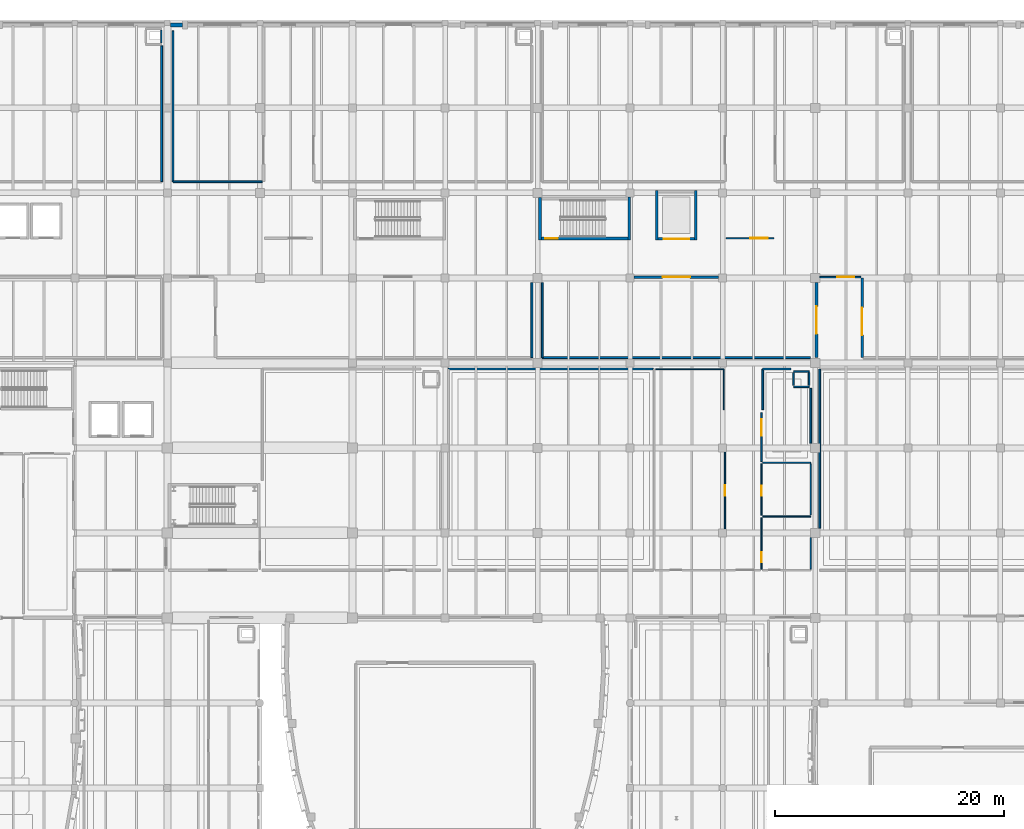
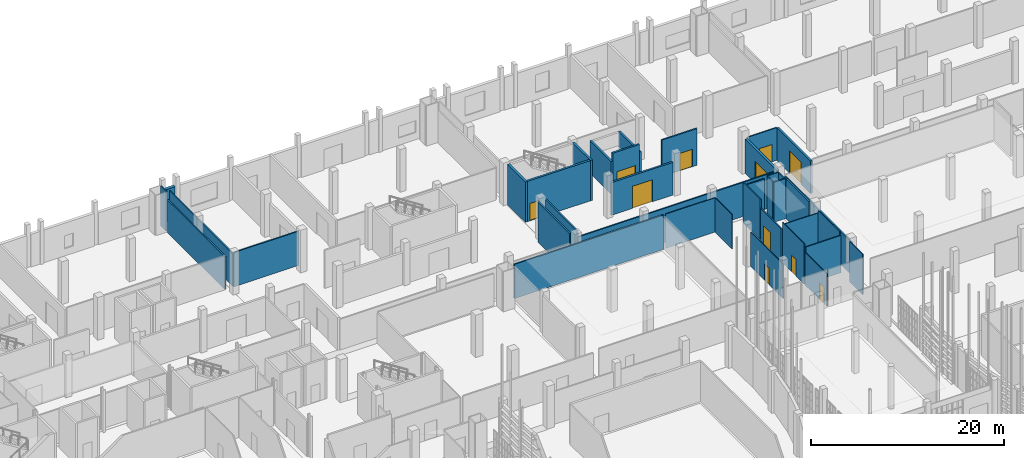
# One storey, part 356 of 372: 38 walls, 11 doors, 11 openings.
"""IFC4 building model written with IfcOpenShell, lengths in metres."""

from ifc_helpers import new_model, si_unit, direction, frame, frame_2d, origin, place, context, subcontext, project, spatial, rectangle, extrude, material, layer, layer_set, type_object, element, fill, save


model = new_model("IFC4")

# Units and contexts
model_context = context("Model", 3, precision=1e-05, world=origin(), true_north=direction((0.0, 1.0)))
body_context = subcontext(model_context, "Body", "Model", "MODEL_VIEW")
ifc_project = project(units=[si_unit("LENGTHUNIT", "METRE"), si_unit("AREAUNIT", "SQUARE_METRE"), si_unit("VOLUMEUNIT", "CUBIC_METRE"), si_unit("PLANEANGLEUNIT", "RADIAN"), si_unit("MASSUNIT", "GRAM", prefix="KILO")], contexts=[model_context])

# Site, building, storey
site_placement = place(None, origin())
site = spatial("IfcSite", under=ifc_project, at=site_placement, CompositionType="ELEMENT")
building_placement = place(site_placement, origin())
building = spatial("IfcBuilding", under=site, at=building_placement, Name="Kaelora Sail Theatre", CompositionType="ELEMENT")
storey_placement = place(building_placement, origin())
storey = spatial("IfcBuildingStorey", under=building, at=storey_placement, Name="L00", CompositionType="ELEMENT", Elevation=0.0)

# Wall, opening, door
ifc_material_1 = material(Name="Concrete C40/50", Category="concrete")
ifc_layer_1 = layer(ifc_material_1, 0.25)
ifc_layer_set_1 = layer_set([ifc_layer_1], Name="Concrete C40/50")
wall_type_1 = type_object("IfcWallType", Name="ARC-WL-CW-250", PredefinedType="SHEAR", material=ifc_layer_set_1)
wall_1_placement = place(storey_placement, frame((99.054931640625, 94.22509765625, 0.0), z_axis=(0.0, 0.0, 1.0), x_axis=(1.0, 0.0, 0.0)))
wall_1 = element("IfcWall", 1, at=wall_1_placement, inside=storey, type_object=wall_type_1, Name="Stair shaft ST-K4 wall L00-S", PredefinedType="SHEAR", context=body_context, shape_type="SweptSolid", body=[
    extrude(rectangle(XDim=7.5400390625, YDim=0.25, at=frame_2d((3.77001953125, 0.0))), origin(), (0.0, 0.0, 1.0), 5.10498046875),
])
opening_1_placement = place(wall_1_placement, frame((0.320068359375, 0.0, 0.0)))
opening_1 = element("IfcOpeningElement", 2, at=opening_1_placement, cuts=wall_1, Name="Opening FD-02", PredefinedType="OPENING", context=body_context, shape_type="SweptSolid", body=[
    extrude(rectangle(XDim=1.10009765625, YDim=2.199951171875, at=frame_2d((0.550048828125, 1.10009765625))), frame((0.0, 0.135, 0.0), z_axis=(0.0, -1.0, 0.0), x_axis=(1.0, 0.0, 0.0)), (0.0, 0.0, 1.0), 0.27),
])
ifc_material_2 = material(Name="Acoustic steel single stair/lobby fire door EI 90-C", Category="steel")
door_type_1 = type_object("IfcDoorType", Name="ARC-DR-FD-02", OperationType="NOTDEFINED", PredefinedType="DOOR", material=ifc_material_2)
door_1_placement = place(opening_1_placement, origin())
door_1 = element("IfcDoor", 3, at=door_1_placement, inside=storey, type_object=door_type_1, Name="Stair ST-K4 door (L00)", OperationType="SINGLE_SWING_RIGHT", OverallHeight=2.199951171875, OverallWidth=1.10009765625, PredefinedType="DOOR", context=body_context, shape_type="SweptSolid", body=[
    extrude(rectangle(XDim=1.10009765625, YDim=2.199951171875, at=frame_2d((0.550048828125, 1.10009765625))), frame((0.0, 0.02490234375, 0.0), z_axis=(0.0, -1.0, 0.0), x_axis=(1.0, 0.0, 0.0)), (0.0, 0.0, 1.0), 0.050048828125),
])
fill(opening_1, door_1)

# Walls
wall_2_placement = place(storey_placement, frame((98.925048828125, 94.10009765625, 0.0), z_axis=(0.0, 0.0, 1.0), x_axis=(0.0, 1.0, 0.0)))
element("IfcWall", 4, at=wall_2_placement, inside=storey, type_object=wall_type_1, Name="Stair shaft ST-K4 wall L00-W", PredefinedType="SHEAR", context=body_context, shape_type="SweptSolid", body=[
    extrude(rectangle(XDim=3.71484375, YDim=0.25, at=frame_2d((1.857421875, 0.0))), origin(), (0.0, 0.0, 1.0), 5.10498046875),
])
wall_3_placement = place(storey_placement, frame((106.72509765625, 94.10009765625, 0.0), z_axis=(0.0, 0.0, 1.0), x_axis=(0.0, 1.0, 0.0)))
element("IfcWall", 5, at=wall_3_placement, inside=storey, type_object=wall_type_1, Name="Stair shaft ST-K4 wall L00-E", PredefinedType="SHEAR", context=body_context, shape_type="SweptSolid", body=[
    extrude(rectangle(XDim=3.75, YDim=0.25, at=frame_2d((1.875, 0.0))), origin(), (0.0, 0.0, 1.0), 5.10498046875),
])
ifc_material_3 = material(Name="Concrete C45/55", Category="concrete")
ifc_layer_2 = layer(ifc_material_3, 0.35009765625)
ifc_layer_set_2 = layer_set([ifc_layer_2], Name="Concrete C45/55")
wall_type_2 = type_object("IfcWallType", Name="ARC-WL-EW-350", PredefinedType="SOLIDWALL", material=ifc_layer_set_2)
wall_4_placement = place(storey_placement, frame((66.554931640625, 112.919921875, 0.0), z_axis=(0.0, 0.0, 1.0), x_axis=(1.0, 0.0, 0.0)))
element("IfcWall", 6, at=wall_4_placement, inside=storey, type_object=wall_type_2, Name="North Facade Pilaster Spandrel Pier L00 B09", PredefinedType="SOLIDWALL", context=body_context, shape_type="SweptSolid", body=[
    extrude(rectangle(XDim=1.065185546875, YDim=0.35009765625, at=frame_2d((0.53271484375, 0.0))), origin(), (0.0, 0.0, 1.0), 4.136962890625),
])

# Wall, opening, door
ifc_material_4 = material(Name="Sanitary moisture-resistant partition 100 mm", Category="gypsum")
ifc_layer_3 = layer(ifc_material_4, 0.10009765625)
ifc_layer_set_3 = layer_set([ifc_layer_3], Name="Sanitary moisture-resistant partition 100 mm")
wall_type_3 = type_object("IfcWallType", Name="ARC-WL-PT-100", PredefinedType="PARTITIONING", material=ifc_layer_set_3)
wall_5_placement = place(storey_placement, frame((115.10009765625, 68.81494140625, 0.0), z_axis=(0.0, 0.0, 1.0), x_axis=(0.0, 1.0, 0.0)))
wall_5 = element("IfcWall", 7, at=wall_5_placement, inside=storey, type_object=wall_type_3, Name="Interior acoustic partition L00-WC-F1/L00-COR-WCLOB", PredefinedType="PARTITIONING", context=body_context, shape_type="SweptSolid", body=[
    extrude(rectangle(XDim=6.72998046875, YDim=0.10009765625, at=frame_2d((3.364990234375, 0.0))), origin(), (0.0, 0.0, 1.0), 4.3369140625),
])
opening_2_placement = place(wall_5_placement, frame((2.9150390625, 0.0, 0.0)))
opening_2 = element("IfcOpeningElement", 8, at=opening_2_placement, cuts=wall_5, Name="Opening ID-03", PredefinedType="OPENING", context=body_context, shape_type="SweptSolid", body=[
    extrude(rectangle(XDim=0.89990234375, YDim=2.10009765625, at=frame_2d((0.449951171875, 1.050048828125))), frame((0.0, 0.060049, 0.0), z_axis=(0.0, -1.0, 0.0), x_axis=(1.0, 0.0, 0.0)), (0.0, 0.0, 1.0), 0.120098),
])
ifc_material_5 = material(Name="Accessible sanitary laminate door", Category="timber")
door_type_2 = type_object("IfcDoorType", Name="ARC-DR-ID-03", OperationType="NOTDEFINED", PredefinedType="DOOR", material=ifc_material_5)
door_2_placement = place(opening_2_placement, origin())
door_2 = element("IfcDoor", 9, at=door_2_placement, inside=storey, type_object=door_type_2, Name="Interior door L00-WC-F1 to L00-COR-WCLOB", OperationType="SINGLE_SWING_RIGHT", OverallHeight=2.10009765625, OverallWidth=0.89990234375, PredefinedType="DOOR", context=body_context, shape_type="SweptSolid", body=[
    extrude(rectangle(XDim=0.89990234375, YDim=2.10009765625, at=frame_2d((0.449951171875, 1.050048828125))), frame((0.0, 0.02490234375, 0.0), z_axis=(0.0, -1.0, 0.0), x_axis=(1.0, 0.0, 0.0)), (0.0, 0.0, 1.0), 0.050048828125),
])
fill(opening_2, door_2)

wall_6_placement = place(storey_placement, frame((118.300048828125, 65.300048828125, 0.0), z_axis=(0.0, 0.0, 1.0), x_axis=(0.0, 1.0, 0.0)))
wall_6 = element("IfcWall", 10, at=wall_6_placement, inside=storey, type_object=wall_type_3, Name="Interior acoustic partition L00-COR-WCLOB/L00-WC-ACC1", PredefinedType="PARTITIONING", context=body_context, shape_type="SweptSolid", body=[
    extrude(rectangle(XDim=4.5, YDim=0.10009765625, at=frame_2d((2.25, 0.0))), origin(), (0.0, 0.0, 1.0), 4.136962890625),
])
opening_3_placement = place(wall_6_placement, frame((0.580078125, 0.0, 0.0)))
opening_3 = element("IfcOpeningElement", 11, at=opening_3_placement, cuts=wall_6, Name="Opening ID-03", PredefinedType="OPENING", context=body_context, shape_type="SweptSolid", body=[
    extrude(rectangle(XDim=0.89990234375, YDim=2.10009765625, at=frame_2d((0.449951171875, 1.050048828125))), frame((0.0, 0.060049, 0.0), z_axis=(0.0, -1.0, 0.0), x_axis=(1.0, 0.0, 0.0)), (0.0, 0.0, 1.0), 0.120098),
])
door_3_placement = place(opening_3_placement, origin())
door_3 = element("IfcDoor", 12, at=door_3_placement, inside=storey, type_object=door_type_2, Name="Interior door L00-COR-WCLOB to L00-WC-ACC1", OperationType="SINGLE_SWING_RIGHT", OverallHeight=2.10009765625, OverallWidth=0.89990234375, PredefinedType="DOOR", context=body_context, shape_type="SweptSolid", body=[
    extrude(rectangle(XDim=0.89990234375, YDim=2.10009765625, at=frame_2d((0.449951171875, 1.050048828125))), frame((0.0, 0.02490234375, 0.0), z_axis=(0.0, -1.0, 0.0), x_axis=(1.0, 0.0, 0.0)), (0.0, 0.0, 1.0), 0.050048828125),
])
fill(opening_3, door_3)

wall_7_placement = place(storey_placement, frame((118.300048828125, 70.0, 0.0), z_axis=(0.0, 0.0, 1.0), x_axis=(0.0, 1.0, 0.0)))
wall_7 = element("IfcWall", 13, at=wall_7_placement, inside=storey, type_object=wall_type_3, Name="Interior acoustic partition L00-COR-WCLOB/L00-WC-ACC2", PredefinedType="PARTITIONING", context=body_context, shape_type="SweptSolid", body=[
    extrude(rectangle(XDim=4.5, YDim=0.10009765625, at=frame_2d((2.25, 0.0))), origin(), (0.0, 0.0, 1.0), 5.0849609375),
])
opening_4_placement = place(wall_7_placement, frame((1.7060546875, 0.0, 0.0)))
opening_4 = element("IfcOpeningElement", 14, at=opening_4_placement, cuts=wall_7, Name="Opening ID-03", PredefinedType="OPENING", context=body_context, shape_type="SweptSolid", body=[
    extrude(rectangle(XDim=0.89990234375, YDim=2.10009765625, at=frame_2d((0.449951171875, 1.050048828125))), frame((0.0, 0.060049, 0.0), z_axis=(0.0, -1.0, 0.0), x_axis=(1.0, 0.0, 0.0)), (0.0, 0.0, 1.0), 0.120098),
])
door_4_placement = place(opening_4_placement, origin())
door_4 = element("IfcDoor", 15, at=door_4_placement, inside=storey, type_object=door_type_2, Name="Interior door L00-COR-WCLOB to L00-WC-ACC2", OperationType="SINGLE_SWING_RIGHT", OverallHeight=2.10009765625, OverallWidth=0.89990234375, PredefinedType="DOOR", context=body_context, shape_type="SweptSolid", body=[
    extrude(rectangle(XDim=0.89990234375, YDim=2.10009765625, at=frame_2d((0.449951171875, 1.050048828125))), frame((0.0, 0.02490234375, 0.0), z_axis=(0.0, -1.0, 0.0), x_axis=(1.0, 0.0, 0.0)), (0.0, 0.0, 1.0), 0.050048828125),
])
fill(opening_4, door_4)

# Walls
for number, where, z_axis, x_axis, name in (
    (16, (118.39990234375, 69.89990234375, 0.0), (0.0, 0.0, 1.0), (1.0, 0.0, 0.0), "Interior acoustic partition L00-WC-ACC1/L00-WC-ACC2"),
    (17, (118.39990234375, 74.60009765625, 0.0), (0.0, 0.0, 1.0), (1.0, 0.0, 0.0), "Interior acoustic partition L00-WC-ACC2/L00-CLOAK-G"),
):
    element("IfcWall", number, at=place(storey_placement, frame(where, z_axis=z_axis, x_axis=x_axis)), inside=storey, type_object=wall_type_3, Name=name, PredefinedType="PARTITIONING", context=body_context, shape_type="SweptSolid", body=[
        extrude(rectangle(XDim=4.2001953125, YDim=0.10009765625, at=frame_2d((2.10009765625, 0.0))), origin(), (0.0, 0.0, 1.0), 4.72705078125),
    ])
wall_8_placement = place(storey_placement, frame((109.050048828125, 82.800048828125, 0.0), z_axis=(0.0, 0.0, 1.0), x_axis=(1.0, 0.0, 0.0)))
element("IfcWall", 18, at=wall_8_placement, inside=storey, type_object=wall_type_3, Name="Room enclosure wall L00-WC-F1-N1", PredefinedType="PARTITIONING", context=body_context, shape_type="SweptSolid", body=[
    extrude(rectangle(XDim=5.949951171875, YDim=0.10009765625, at=frame_2d((2.97509765625, 0.0))), origin(), (0.0, 0.0, 1.0), 4.3369140625),
])
wall_9_placement = place(storey_placement, frame((115.0, 79.25, 0.0), z_axis=(0.0, 0.0, 1.0), x_axis=(0.0, 1.0, 0.0)))
element("IfcWall", 19, at=wall_9_placement, inside=storey, type_object=wall_type_3, Name="Room enclosure wall L00-WC-F1-E1", PredefinedType="PARTITIONING", context=body_context, shape_type="SweptSolid", body=[
    extrude(rectangle(XDim=3.550048828125, YDim=0.10009765625, at=frame_2d((1.77490234375, 0.0))), origin(), (0.0, 0.0, 1.0), 4.3369140625),
])
wall_10_placement = place(storey_placement, frame((122.60009765625, 65.300048828125, 0.0), z_axis=(0.0, 0.0, 1.0), x_axis=(0.0, 1.0, 0.0)))
element("IfcWall", 20, at=wall_10_placement, inside=storey, type_object=wall_type_3, Name="Room enclosure wall L00-WC-ACC1-E1", PredefinedType="PARTITIONING", context=body_context, shape_type="SweptSolid", body=[
    extrude(rectangle(XDim=2.739990234375, YDim=0.10009765625, at=frame_2d((1.3701171875, 0.0))), origin(), (0.0, 0.0, 1.0), 5.0849609375),
])
wall_11_placement = place(storey_placement, frame((122.60009765625, 70.050048828125, 0.0), z_axis=(0.0, 0.0, 1.0), x_axis=(0.0, 1.0, 0.0)))
element("IfcWall", 21, at=wall_11_placement, inside=storey, type_object=wall_type_3, Name="Room enclosure wall L00-WC-ACC2-E1", PredefinedType="PARTITIONING", context=body_context, shape_type="SweptSolid", body=[
    extrude(rectangle(XDim=4.449951171875, YDim=0.10009765625, at=frame_2d((2.22509765625, 0.0))), origin(), (0.0, 0.0, 1.0), 5.0849609375),
])
ifc_material_6 = material(Name="Standard metal-stud partition 120 mm", Category="gypsum")
ifc_layer_4 = layer(ifc_material_6, 0.1201171875)
ifc_layer_set_4 = layer_set([ifc_layer_4], Name="Standard metal-stud partition 120 mm")
wall_type_4 = type_object("IfcWallType", Name="ARC-WL-PT-120", PredefinedType="PARTITIONING", material=ifc_layer_set_4)
wall_12_placement = place(storey_placement, frame((65.764892578125, 111.340087890625, 0.0), z_axis=(0.0, 0.0, 1.0), x_axis=(0.0, 1.0, 0.0)))
element("IfcWall", 22, at=wall_12_placement, inside=storey, type_object=wall_type_4, Name="MEP riser shaft wall NW2-L00-E", PredefinedType="PARTITIONING", context=body_context, shape_type="SweptSolid", body=[
    extrude(rectangle(XDim=1.119873046875, YDim=0.1201171875, at=frame_2d((0.56005859375, 0.0))), origin(), (0.0, 0.0, 1.0), 5.0849609375),
])
for number, where, z_axis, x_axis, name in (
    (23, (121.10498046875, 81.2451171875, 0.0), (0.0, 0.0, 1.0), (1.0, 0.0, 0.0), "MEP riser shaft wall FC2-L00-S"),
    (24, (121.10498046875, 82.60498046875, 0.0), (0.0, 0.0, 1.0), (1.0, 0.0, 0.0), "MEP riser shaft wall FC2-L00-N"),
):
    element("IfcWall", number, at=place(storey_placement, frame(where, z_axis=z_axis, x_axis=x_axis)), inside=storey, type_object=wall_type_4, Name=name, PredefinedType="PARTITIONING", context=body_context, shape_type="SweptSolid", body=[
        extrude(rectangle(XDim=1.360107421875, YDim=0.1201171875, at=frame_2d((0.68017578125, 0.0))), origin(), (0.0, 0.0, 1.0), 5.0849609375),
    ])
for number, where, z_axis, x_axis, name in (
    (25, (121.10498046875, 81.364990234375, 0.0), (0.0, 0.0, 1.0), (0.0, 1.0, 0.0), "MEP riser shaft wall FC2-L00-W"),
    (26, (122.465087890625, 81.364990234375, 0.0), (0.0, 0.0, 1.0), (0.0, 1.0, 0.0), "MEP riser shaft wall FC2-L00-E"),
):
    element("IfcWall", number, at=place(storey_placement, frame(where, z_axis=z_axis, x_axis=x_axis)), inside=storey, type_object=wall_type_4, Name=name, PredefinedType="PARTITIONING", context=body_context, shape_type="SweptSolid", body=[
        extrude(rectangle(XDim=1.1201171875, YDim=0.1201171875, at=frame_2d((0.56005859375, 0.0))), origin(), (0.0, 0.0, 1.0), 5.0849609375),
    ])

# Wall, opening, door
wall_13_placement = place(storey_placement, frame((123.405029296875, 90.85009765625, 0.0), z_axis=(0.0, 0.0, 1.0), x_axis=(1.0, 0.0, 0.0)))
wall_13 = element("IfcWall", 27, at=wall_13_placement, inside=storey, type_object=wall_type_4, Name="Interior acoustic partition L00-COR-NLINKE/L00-COR-BOH", PredefinedType="PARTITIONING", context=body_context, shape_type="SweptSolid", body=[
    extrude(rectangle(XDim=3.594970703125, YDim=0.1201171875, at=frame_2d((1.79736328125, 0.0))), origin(), (0.0, 0.0, 1.0), 4.136962890625),
])
opening_5_placement = place(wall_13_placement, frame((1.514892578125, 0.0, 0.0)))
opening_5 = element("IfcOpeningElement", 28, at=opening_5_placement, cuts=wall_13, Name="Opening FD-01", PredefinedType="OPENING", context=body_context, shape_type="SweptSolid", body=[
    extrude(rectangle(XDim=1.5, YDim=2.199951171875, at=frame_2d((0.75, 1.10009765625))), frame((0.0, 0.070059, 0.0), z_axis=(0.0, -1.0, 0.0), x_axis=(1.0, 0.0, 0.0)), (0.0, 0.0, 1.0), 0.140117),
])
ifc_material_7 = material(Name="Acoustic steel double fire door EI 90-C", Category="steel")
door_type_3 = type_object("IfcDoorType", Name="ARC-DR-FD-01", OperationType="NOTDEFINED", PredefinedType="DOOR", material=ifc_material_7)
door_5_placement = place(opening_5_placement, origin())
door_5 = element("IfcDoor", 29, at=door_5_placement, inside=storey, type_object=door_type_3, Name="Interior door L00-COR-NLINKE to L00-COR-BOH", OperationType="DOUBLE_DOOR_SINGLE_SWING", OverallHeight=2.199951171875, OverallWidth=1.5, PredefinedType="DOOR", context=body_context, shape_type="SweptSolid", body=[
    extrude(rectangle(XDim=1.5, YDim=2.199951171875, at=frame_2d((0.75, 1.10009765625))), frame((0.0, 0.02490234375, 0.0), z_axis=(0.0, -1.0, 0.0), x_axis=(1.0, 0.0, 0.0)), (0.0, 0.0, 1.0), 0.050048828125),
])
fill(opening_5, door_5)

ifc_material_8 = material(Name="Fire-rated stud partition 140 mm", Category="gypsum")
ifc_layer_5 = layer(ifc_material_8, 0.139892578125)
ifc_layer_set_5 = layer_set([ifc_layer_5], Name="Fire-rated stud partition 140 mm")
wall_type_5 = type_object("IfcWallType", Name="ARC-WL-PT-140", PredefinedType="PARTITIONING", material=ifc_layer_set_5)
wall_14_placement = place(storey_placement, frame((118.300048828125, 74.699951171875, 0.0), z_axis=(0.0, 0.0, 1.0), x_axis=(0.0, 1.0, 0.0)))
wall_14 = element("IfcWall", 30, at=wall_14_placement, inside=storey, type_object=wall_type_5, Name="Interior acoustic partition L00-COR-WCLOB/L00-CLOAK-G", PredefinedType="PARTITIONING", context=body_context, shape_type="SweptSolid", body=[
    extrude(rectangle(XDim=4.300048828125, YDim=0.139892578125, at=frame_2d((2.14990234375, 0.0))), origin(), (0.0, 0.0, 1.0), 4.136962890625),
])
opening_6_placement = place(wall_14_placement, frame((2.27001953125, 0.0, 0.0)))
opening_6 = element("IfcOpeningElement", 31, at=opening_6_placement, cuts=wall_14, Name="Opening ID-12", PredefinedType="OPENING", context=body_context, shape_type="SweptSolid", body=[
    extrude(rectangle(XDim=1.449951171875, YDim=2.300048828125, at=frame_2d((0.72509765625, 1.14990234375))), frame((0.0, 0.079824, 0.0), z_axis=(0.0, -1.0, 0.0), x_axis=(1.0, 0.0, 0.0)), (0.0, 0.0, 1.0), 0.159893),
])
ifc_material_9 = material(Name="Orchestra warm-up acoustic double door", Category="steel")
door_type_4 = type_object("IfcDoorType", Name="ARC-DR-ID-12", OperationType="NOTDEFINED", PredefinedType="DOOR", material=ifc_material_9)
door_6_placement = place(opening_6_placement, origin())
door_6 = element("IfcDoor", 32, at=door_6_placement, inside=storey, type_object=door_type_4, Name="Interior door L00-COR-WCLOB to L00-CLOAK-G", OperationType="DOUBLE_DOOR_SINGLE_SWING", OverallHeight=2.300048828125, OverallWidth=1.449951171875, PredefinedType="DOOR", context=body_context, shape_type="SweptSolid", body=[
    extrude(rectangle(XDim=1.449951171875, YDim=2.300048828125, at=frame_2d((0.72509765625, 1.14990234375))), frame((0.0, 0.02490234375, 0.0), z_axis=(0.0, -1.0, 0.0), x_axis=(1.0, 0.0, 0.0)), (0.0, 0.0, 1.0), 0.050048828125),
])
fill(opening_6, door_6)

# Walls
ifc_material_10 = material(Name="Acoustic metal-stud plasterboard 160 mm", Category="gypsum")
ifc_layer_6 = layer(ifc_material_10, 0.159912109375)
ifc_layer_set_6 = layer_set([ifc_layer_6], Name="Acoustic metal-stud plasterboard 160 mm")
wall_type_6 = type_object("IfcWallType", Name="ARC-WL-PT-160", PredefinedType="PARTITIONING", material=ifc_layer_set_6)
wall_15_placement = place(storey_placement, frame((90.89990234375, 82.800048828125, 0.0), z_axis=(0.0, 0.0, 1.0), x_axis=(1.0, 0.0, 0.0)))
element("IfcWall", 33, at=wall_15_placement, inside=storey, type_object=wall_type_6, Name="Room enclosure wall L00-BAR-STALLS-N1", PredefinedType="PARTITIONING", context=body_context, shape_type="SweptSolid", body=[
    extrude(rectangle(XDim=17.900146484375, YDim=0.159912109375, at=frame_2d((8.9501953125, 0.0))), origin(), (0.0, 0.0, 1.0), 4.3369140625),
])
wall_16_placement = place(storey_placement, frame((118.39990234375, 82.800048828125, 0.0), z_axis=(0.0, 0.0, 1.0), x_axis=(1.0, 0.0, 0.0)))
element("IfcWall", 34, at=wall_16_placement, inside=storey, type_object=wall_type_6, Name="Room enclosure wall L00-CLOAK-G-N1", PredefinedType="PARTITIONING", context=body_context, shape_type="SweptSolid", body=[
    extrude(rectangle(XDim=2.455078125, YDim=0.159912109375, at=frame_2d((1.2275390625, 0.0))), origin(), (0.0, 0.0, 1.0), 4.68701171875),
])
wall_17_placement = place(storey_placement, frame((118.39990234375, 79.25, 0.0), z_axis=(0.0, 0.0, 1.0), x_axis=(0.0, 1.0, 0.0)))
element("IfcWall", 35, at=wall_17_placement, inside=storey, type_object=wall_type_6, Name="Room enclosure wall L00-CLOAK-G-W1", PredefinedType="PARTITIONING", context=body_context, shape_type="SweptSolid", body=[
    extrude(rectangle(XDim=3.550048828125, YDim=0.159912109375, at=frame_2d((1.77490234375, 0.0))), origin(), (0.0, 0.0, 1.0), 5.0849609375),
])
wall_18_placement = place(storey_placement, frame((122.60009765625, 76.320068359375, 0.0), z_axis=(0.0, 0.0, 1.0), x_axis=(0.0, 1.0, 0.0)))
element("IfcWall", 36, at=wall_18_placement, inside=storey, type_object=wall_type_6, Name="Room enclosure wall L00-CLOAK-G-E1", PredefinedType="PARTITIONING", context=body_context, shape_type="SweptSolid", body=[
    extrude(rectangle(XDim=4.794921875, YDim=0.159912109375, at=frame_2d((2.3974609375, 0.0))), origin(), (0.0, 0.0, 1.0), 5.0849609375),
])
wall_19_placement = place(storey_placement, frame((123.39990234375, 68.8798828125, 0.0), z_axis=(0.0, 0.0, 1.0), x_axis=(0.0, 1.0, 0.0)))
element("IfcWall", 37, at=wall_19_placement, inside=storey, type_object=wall_type_6, Name="Room enclosure wall L00-FOY-EAST-W1", PredefinedType="PARTITIONING", context=body_context, shape_type="SweptSolid", body=[
    extrude(rectangle(XDim=13.920166015625, YDim=0.159912109375, at=frame_2d((6.9599609375, 0.0))), origin(), (0.0, 0.0, 1.0), 4.136962890625),
])
wall_20_placement = place(storey_placement, frame((65.800048828125, 99.199951171875, 0.0), z_axis=(0.0, 0.0, 1.0), x_axis=(0.0, 1.0, 0.0)))
element("IfcWall", 38, at=wall_20_placement, inside=storey, type_object=wall_type_6, Name="Room enclosure wall L00-SCENE-DOCK-E1", PredefinedType="PARTITIONING", context=body_context, shape_type="SweptSolid", body=[
    extrude(rectangle(XDim=11.89013671875, YDim=0.159912109375, at=frame_2d((5.945068359375, 0.0))), origin(), (0.0, 0.0, 1.0), 4.136962890625),
])
wall_21_placement = place(storey_placement, frame((98.199951171875, 83.800048828125, 0.0), z_axis=(0.0, 0.0, 1.0), x_axis=(0.0, 1.0, 0.0)))
element("IfcWall", 39, at=wall_21_placement, inside=storey, type_object=wall_type_6, Name="Room enclosure wall L00-TOOL-BOH-E1", PredefinedType="PARTITIONING", context=body_context, shape_type="SweptSolid", body=[
    extrude(rectangle(XDim=6.56005859375, YDim=0.159912109375, at=frame_2d((3.280029296875, 0.0))), origin(), (0.0, 0.0, 1.0), 5.0849609375),
])
wall_22_placement = place(storey_placement, frame((66.800048828125, 99.199951171875, 0.0), z_axis=(0.0, 0.0, 1.0), x_axis=(1.0, 0.0, 0.0)))
element("IfcWall", 40, at=wall_22_placement, inside=storey, type_object=wall_type_6, Name="Room enclosure wall L00-CARP-W-S1", PredefinedType="PARTITIONING", context=body_context, shape_type="SweptSolid", body=[
    extrude(rectangle(XDim=7.800048828125, YDim=0.159912109375, at=frame_2d((3.89990234375, 0.0))), origin(), (0.0, 0.0, 1.0), 4.3369140625),
])
wall_23_placement = place(storey_placement, frame((66.800048828125, 99.199951171875, 0.0), z_axis=(0.0, 0.0, 1.0), x_axis=(0.0, 1.0, 0.0)))
element("IfcWall", 41, at=wall_23_placement, inside=storey, type_object=wall_type_6, Name="Room enclosure wall L00-CARP-W-W1", PredefinedType="PARTITIONING", context=body_context, shape_type="SweptSolid", body=[
    extrude(rectangle(XDim=13.199951171875, YDim=0.159912109375, at=frame_2d((6.60009765625, 0.0))), origin(), (0.0, 0.0, 1.0), 4.136962890625),
])
wall_24_placement = place(storey_placement, frame((99.1201171875, 83.800048828125, 0.0), z_axis=(0.0, 0.0, 1.0), x_axis=(1.0, 0.0, 0.0)))
element("IfcWall", 42, at=wall_24_placement, inside=storey, type_object=wall_type_6, Name="Room enclosure wall L00-ELEC-SHOP-S1", PredefinedType="PARTITIONING", context=body_context, shape_type="SweptSolid", body=[
    extrude(rectangle(XDim=23.4599609375, YDim=0.159912109375, at=frame_2d((11.72998046875, 0.0))), origin(), (0.0, 0.0, 1.0), 4.3369140625),
])
wall_25_placement = place(storey_placement, frame((99.10009765625, 83.800048828125, 0.0), z_axis=(0.0, 0.0, 1.0), x_axis=(0.0, 1.0, 0.0)))
element("IfcWall", 43, at=wall_25_placement, inside=storey, type_object=wall_type_6, Name="Room enclosure wall L00-ELEC-SHOP-W1", PredefinedType="PARTITIONING", context=body_context, shape_type="SweptSolid", body=[
    extrude(rectangle(XDim=6.56005859375, YDim=0.159912109375, at=frame_2d((3.280029296875, 0.0))), origin(), (0.0, 0.0, 1.0), 5.0849609375),
])

# Wall, opening, door
ifc_material_11 = material(Name="Workshop acoustic stud partition 170 mm", Category="gypsum")
ifc_layer_7 = layer(ifc_material_11, 0.169921875)
ifc_layer_set_7 = layer_set([ifc_layer_7], Name="Workshop acoustic stud partition 170 mm")
wall_type_7 = type_object("IfcWallType", Name="ARC-WL-PT-170", PredefinedType="PARTITIONING", material=ifc_layer_set_7)
wall_26_placement = place(storey_placement, frame((115.199951171875, 94.25, 0.0), z_axis=(0.0, 0.0, 1.0), x_axis=(1.0, 0.0, 0.0)))
wall_26 = element("IfcWall", 44, at=wall_26_placement, inside=storey, type_object=wall_type_7, Name="Interior acoustic partition L00-COR-BOH/L00-COR-SP4", PredefinedType="PARTITIONING", context=body_context, shape_type="SweptSolid", body=[
    extrude(rectangle(XDim=4.199951171875, YDim=0.169921875, at=frame_2d((2.10009765625, 0.0))), origin(), (0.0, 0.0, 1.0), 4.636962890625),
])
opening_7_placement = place(wall_26_placement, frame((2.1201171875, 0.0, 0.0)))
opening_7 = element("IfcOpeningElement", 45, at=opening_7_placement, cuts=wall_26, Name="Opening FD-01", PredefinedType="OPENING", context=body_context, shape_type="SweptSolid", body=[
    extrude(rectangle(XDim=1.5, YDim=2.199951171875, at=frame_2d((0.75, 1.10009765625))), frame((0.0, 0.094961, 0.0), z_axis=(0.0, -1.0, 0.0), x_axis=(1.0, 0.0, 0.0)), (0.0, 0.0, 1.0), 0.189922),
])
door_7_placement = place(opening_7_placement, origin())
door_7 = element("IfcDoor", 46, at=door_7_placement, inside=storey, type_object=door_type_3, Name="Interior door L00-COR-BOH to L00-COR-SP4", OperationType="DOUBLE_DOOR_SINGLE_SWING", OverallHeight=2.199951171875, OverallWidth=1.5, PredefinedType="DOOR", context=body_context, shape_type="SweptSolid", body=[
    extrude(rectangle(XDim=1.5, YDim=2.199951171875, at=frame_2d((0.75, 1.10009765625))), frame((0.0, 0.02490234375, 0.0), z_axis=(0.0, -1.0, 0.0), x_axis=(1.0, 0.0, 0.0)), (0.0, 0.0, 1.0), 0.050048828125),
])
fill(opening_7, door_7)

ifc_material_12 = material(Name="Concrete C40/50", Category="concrete")
ifc_layer_8 = layer(ifc_material_12, 0.22998046875)
ifc_layer_set_8 = layer_set([ifc_layer_8], Name="Concrete C40/50")
wall_type_8 = type_object("IfcWallType", Name="ARC-WL-PW-230", PredefinedType="SOLIDWALL", material=ifc_layer_set_8)
wall_27_placement = place(storey_placement, frame((127.10009765625, 83.800048828125, 0.0), z_axis=(0.0, 0.0, 1.0), x_axis=(0.0, 1.0, 0.0)))
wall_27 = element("IfcWall", 47, at=wall_27_placement, inside=storey, type_object=wall_type_8, Name="Interior acoustic partition L00-COR-NLINKE/L00-PROP-SHOP", PredefinedType="SOLIDWALL", context=body_context, shape_type="SweptSolid", body=[
    extrude(rectangle(XDim=6.949951171875, YDim=0.22998046875, at=frame_2d((3.47509765625, 0.0))), origin(), (0.0, 0.0, 1.0), 4.136962890625),
])
opening_8_placement = place(wall_27_placement, frame((1.97607421875, 0.0, 0.0)))
opening_8 = element("IfcOpeningElement", 48, at=opening_8_placement, cuts=wall_27, Name="Opening ID-05", PredefinedType="OPENING", context=body_context, shape_type="SweptSolid", body=[
    extrude(rectangle(XDim=2.39990234375, YDim=2.800048828125, at=frame_2d((1.199951171875, 1.39990234375))), frame((0.0, 0.12499, 0.0), z_axis=(0.0, -1.0, 0.0), x_axis=(1.0, 0.0, 0.0)), (0.0, 0.0, 1.0), 0.24998),
])
ifc_material_13 = material(Name="Scenery workshop oversize acoustic double door", Category="steel")
door_type_5 = type_object("IfcDoorType", Name="ARC-DR-ID-05", OperationType="NOTDEFINED", PredefinedType="DOOR", material=ifc_material_13)
door_8_placement = place(opening_8_placement, origin())
door_8 = element("IfcDoor", 49, at=door_8_placement, inside=storey, type_object=door_type_5, Name="Interior door L00-COR-NLINKE to L00-PROP-SHOP", OperationType="DOUBLE_DOOR_SINGLE_SWING", OverallHeight=2.800048828125, OverallWidth=2.39990234375, PredefinedType="DOOR", context=body_context, shape_type="SweptSolid", body=[
    extrude(rectangle(XDim=2.39990234375, YDim=2.800048828125, at=frame_2d((1.199951171875, 1.39990234375))), frame((0.0, 0.02490234375, 0.0), z_axis=(0.0, -1.0, 0.0), x_axis=(1.0, 0.0, 0.0)), (0.0, 0.0, 1.0), 0.050048828125),
])
fill(opening_8, door_8)

wall_28_placement = place(storey_placement, frame((107.155029296875, 90.85009765625, 0.0), z_axis=(0.0, 0.0, 1.0), x_axis=(1.0, 0.0, 0.0)))
wall_28 = element("IfcWall", 50, at=wall_28_placement, inside=storey, type_object=wall_type_8, Name="Interior acoustic partition L00-COR-BOH/L00-ELEC-SHOP", PredefinedType="SOLIDWALL", context=body_context, shape_type="SweptSolid", body=[
    extrude(rectangle(XDim=7.389892578125, YDim=0.22998046875, at=frame_2d((3.69482421875, 0.0))), origin(), (0.0, 0.0, 1.0), 4.136962890625),
])
opening_9_placement = place(wall_28_placement, frame((2.4951171875, 0.0, 0.0)))
opening_9 = element("IfcOpeningElement", 51, at=opening_9_placement, cuts=wall_28, Name="Opening ID-05", PredefinedType="OPENING", context=body_context, shape_type="SweptSolid", body=[
    extrude(rectangle(XDim=2.39990234375, YDim=2.800048828125, at=frame_2d((1.199951171875, 1.39990234375))), frame((0.0, 0.12499, 0.0), z_axis=(0.0, -1.0, 0.0), x_axis=(1.0, 0.0, 0.0)), (0.0, 0.0, 1.0), 0.24998),
])
door_9_placement = place(opening_9_placement, origin())
door_9 = element("IfcDoor", 52, at=door_9_placement, inside=storey, type_object=door_type_5, Name="Interior door L00-COR-BOH to L00-ELEC-SHOP", OperationType="DOUBLE_DOOR_SINGLE_SWING", OverallHeight=2.800048828125, OverallWidth=2.39990234375, PredefinedType="DOOR", context=body_context, shape_type="SweptSolid", body=[
    extrude(rectangle(XDim=2.39990234375, YDim=2.800048828125, at=frame_2d((1.199951171875, 1.39990234375))), frame((0.0, 0.02490234375, 0.0), z_axis=(0.0, -1.0, 0.0), x_axis=(1.0, 0.0, 0.0)), (0.0, 0.0, 1.0), 0.050048828125),
])
fill(opening_9, door_9)

ifc_material_14 = material(Name="Concrete C45/55", Category="concrete")
ifc_layer_9 = layer(ifc_material_14, 0.27001953125)
ifc_layer_set_9 = layer_set([ifc_layer_9], Name="Concrete C45/55")
wall_type_9 = type_object("IfcWallType", Name="ARC-WL-PW-270", PredefinedType="SOLIDWALL", material=ifc_layer_set_9)
wall_29_placement = place(storey_placement, frame((123.10009765625, 83.800048828125, 0.0), z_axis=(0.0, 0.0, 1.0), x_axis=(0.0, 1.0, 0.0)))
wall_29 = element("IfcWall", 53, at=wall_29_placement, inside=storey, type_object=wall_type_9, Name="Interior acoustic partition L00-COR-NLINKE/L00-ELEC-SHOP", PredefinedType="SOLIDWALL", context=body_context, shape_type="SweptSolid", body=[
    extrude(rectangle(XDim=6.574951171875, YDim=0.27001953125, at=frame_2d((3.28759765625, 0.0))), origin(), (0.0, 0.0, 1.0), 4.3369140625),
])
opening_10_placement = place(wall_29_placement, frame((2.087890625, 0.0, 0.0)))
opening_10 = element("IfcOpeningElement", 54, at=opening_10_placement, cuts=wall_29, Name="Opening ID-05", PredefinedType="OPENING", context=body_context, shape_type="SweptSolid", body=[
    extrude(rectangle(XDim=2.39990234375, YDim=2.800048828125, at=frame_2d((1.199951171875, 1.39990234375))), frame((0.0, 0.14501, 0.0), z_axis=(0.0, -1.0, 0.0), x_axis=(1.0, 0.0, 0.0)), (0.0, 0.0, 1.0), 0.29002),
])
door_10_placement = place(opening_10_placement, origin())
door_10 = element("IfcDoor", 55, at=door_10_placement, inside=storey, type_object=door_type_5, Name="Interior door L00-COR-NLINKE to L00-ELEC-SHOP", OperationType="DOUBLE_DOOR_SINGLE_SWING", OverallHeight=2.800048828125, OverallWidth=2.39990234375, PredefinedType="DOOR", context=body_context, shape_type="SweptSolid", body=[
    extrude(rectangle(XDim=2.39990234375, YDim=2.800048828125, at=frame_2d((1.199951171875, 1.39990234375))), frame((0.0, 0.02490234375, 0.0), z_axis=(0.0, -1.0, 0.0), x_axis=(1.0, 0.0, 0.0)), (0.0, 0.0, 1.0), 0.050048828125),
])
fill(opening_10, door_10)

ifc_material_15 = material(Name="Concrete C40/50", Category="concrete")
ifc_layer_10 = layer(ifc_material_15, 0.219970703125)
ifc_layer_set_10 = layer_set([ifc_layer_10], Name="Concrete C40/50")
wall_type_10 = type_object("IfcWallType", Name="ARC-WL-SW-220", PredefinedType="SOLIDWALL", material=ifc_layer_set_10)
wall_30_placement = place(storey_placement, frame((109.25, 94.18994140625, 0.0), z_axis=(0.0, 0.0, 1.0), x_axis=(1.0, 0.0, 0.0)))
wall_30 = element("IfcWall", 56, at=wall_30_placement, inside=storey, type_object=wall_type_10, Name="Lift GL-01 shaft wall L00-S", PredefinedType="SOLIDWALL", context=body_context, shape_type="SweptSolid", body=[
    extrude(rectangle(XDim=3.199951171875, YDim=0.219970703125, at=frame_2d((1.60009765625, 0.0))), origin(), (0.0, 0.0, 1.0), 5.10498046875),
])
opening_11_placement = place(wall_30_placement, frame((0.5, 0.0, 0.0)))
opening_11 = element("IfcOpeningElement", 57, at=opening_11_placement, cuts=wall_30, Name="Opening LD-GDS", PredefinedType="OPENING", context=body_context, shape_type="SweptSolid", body=[
    extrude(rectangle(XDim=2.199951171875, YDim=2.60009765625, at=frame_2d((1.10009765625, 1.300048828125))), frame((0.0, 0.119863, 0.0), z_axis=(0.0, -1.0, 0.0), x_axis=(1.0, 0.0, 0.0)), (0.0, 0.0, 1.0), 0.239971),
])
ifc_material_16 = material(Name="Heavy-duty scenery goods lift bi-parting landing door EI 120", Category="steel")
door_type_6 = type_object("IfcDoorType", Name="ARC-DR-LD-GDS", OperationType="NOTDEFINED", PredefinedType="DOOR", material=ifc_material_16)
door_11_placement = place(opening_11_placement, origin())
door_11 = element("IfcDoor", 58, at=door_11_placement, inside=storey, type_object=door_type_6, Name="Lift GL-01 sliding landing door (L00)", OperationType="SLIDING_TO_LEFT", OverallHeight=2.60009765625, OverallWidth=2.199951171875, PredefinedType="DOOR", context=body_context, shape_type="SweptSolid", body=[
    extrude(rectangle(XDim=2.199951171875, YDim=2.60009765625, at=frame_2d((1.10009765625, 1.300048828125))), frame((0.0, 0.02490234375, 0.0), z_axis=(0.0, -1.0, 0.0), x_axis=(1.0, 0.0, 0.0)), (0.0, 0.0, 1.0), 0.050048828125),
])
fill(opening_11, door_11)

# Walls
for number, where, z_axis, x_axis, name in (
    (59, (109.139892578125, 94.080078125, 0.0), (0.0, 0.0, 1.0), (0.0, 1.0, 0.0), "Lift GL-01 shaft wall L00-W"),
    (60, (112.56005859375, 94.080078125, 0.0), (0.0, 0.0, 1.0), (0.0, 1.0, 0.0), "Lift GL-01 shaft wall L00-E"),
):
    element("IfcWall", number, at=place(storey_placement, frame(where, z_axis=z_axis, x_axis=x_axis)), inside=storey, type_object=wall_type_10, Name=name, PredefinedType="SOLIDWALL", context=body_context, shape_type="SweptSolid", body=[
        extrude(rectangle(XDim=4.33984375, YDim=0.219970703125, at=frame_2d((2.169921875, 0.0))), origin(), (0.0, 0.0, 1.0), 4.136962890625),
    ])

save(model, "model.ifc")
